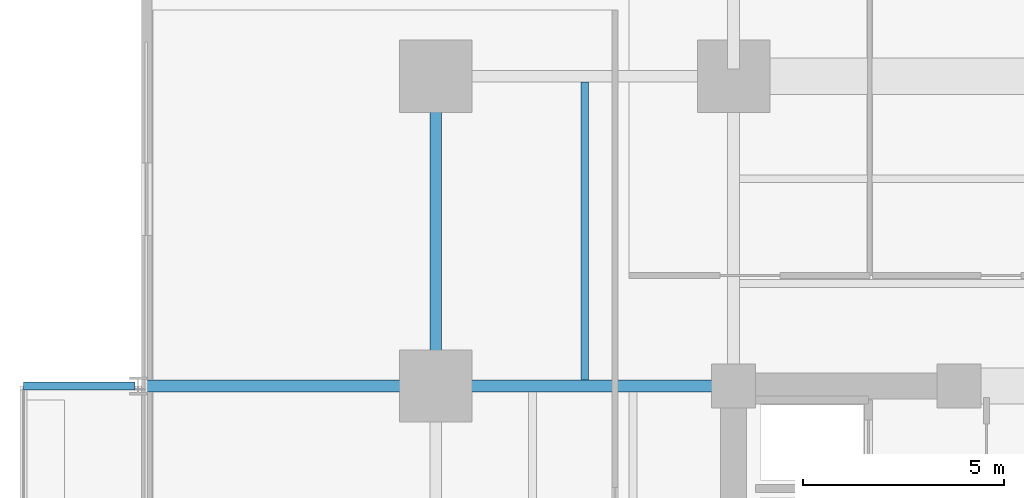
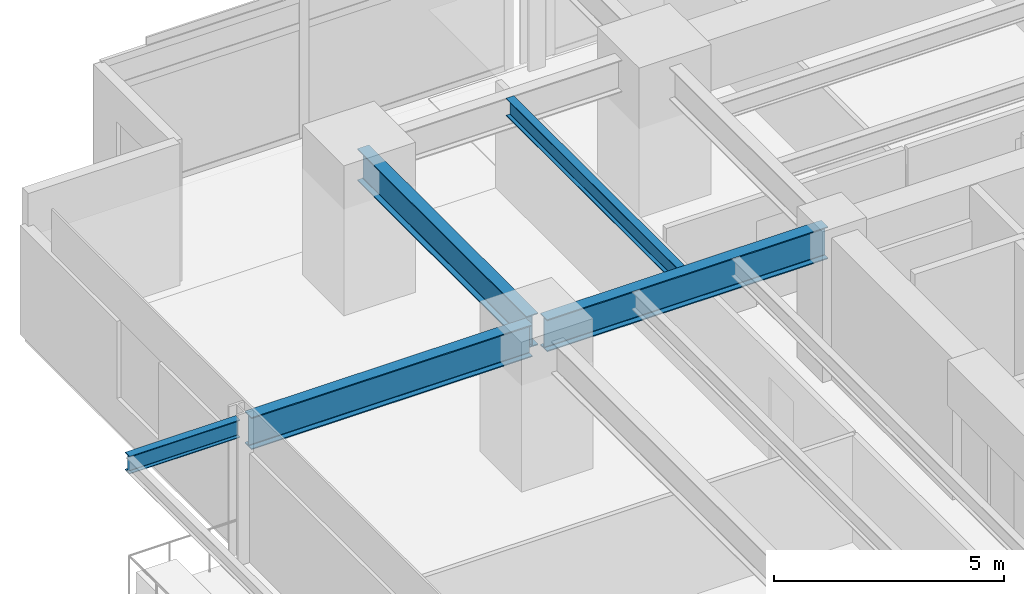
# One storey, part 5 of 22: 5 beams.
"""IFC4 building model written with IfcOpenShell, lengths in metres."""

from ifc_helpers import new_model, si_unit, direction, frame, origin, origin_2d, place, context, subcontext, project, spatial, i_section, extrude, material, material_profile, profile_set, type_object, element, save


model = new_model("IFC4")

# Units and contexts
model_context = context("Model", 3, precision=1e-05, world=origin(), true_north=direction((0.0, 1.0)))
body_context = subcontext(model_context, "Body", "Model", "MODEL_VIEW")
ifc_project = project(units=[si_unit("LENGTHUNIT", "METRE"), si_unit("AREAUNIT", "SQUARE_METRE"), si_unit("VOLUMEUNIT", "CUBIC_METRE"), si_unit("PLANEANGLEUNIT", "RADIAN"), si_unit("MASSUNIT", "GRAM", prefix="KILO")], contexts=[model_context])

# Site, building, storey
site_placement = place(None, origin())
site = spatial("IfcSite", under=ifc_project, at=site_placement, CompositionType="ELEMENT")
building_placement = place(site_placement, origin())
building = spatial("IfcBuilding", under=site, at=building_placement, Name="Kovane Verandah Tower", CompositionType="ELEMENT")
storey_placement = place(building_placement, frame((0.0, 0.0, 51.60009765625)))
storey = spatial("IfcBuildingStorey", under=building, at=storey_placement, Name="L11", CompositionType="ELEMENT", Elevation=51.60009765625)

# Beams
ifc_material = material(Name="Steel S355", Category="steel")
ifc_material_profile_1 = material_profile(ifc_material, i_section(OverallWidth=0.293701171875, OverallDepth=0.850830078125, WebThickness=0.01611328125, FlangeThickness=0.02685546875, FilletRadius=0.017822265625, at=origin_2d()), Name="UB838x292x226")
ifc_profile_set_1 = profile_set([ifc_material_profile_1], Name="Steel S355")
beam_type_1 = type_object("IfcBeamType", Name="BM-UB838x226", PredefinedType="BEAM", material=ifc_profile_set_1)
beam_1_placement = place(storey_placement, frame((21.60009765625, 36.679931640625, 3.33447265625), z_axis=(0.0, 1.0, 0.0), x_axis=(-1.0, 0.0, 0.0)))
element("IfcBeam", 1, at=beam_1_placement, inside=storey, type_object=beam_type_1, Name="L11 Primary Tower Girder G-RW3", PredefinedType="BEAM", context=body_context, shape_type="SweptSolid", body=[
    extrude(i_section(OverallWidth=0.293701171875, OverallDepth=0.850830078125, WebThickness=0.01611328125, FlangeThickness=0.02685546875, FilletRadius=0.017822265625, at=origin_2d()), origin(), (0.0, 0.0, 1.0), 7.340087890625),
])
for number, where, z_axis, x_axis, name in (
    (2, (28.820068359375, 36.5, 3.33447265625), (-1.0, 0.0, 0.0), (0.0, -1.0, 0.0), "L11 Primary Tower Girder G-W2"),
    (3, (21.419921875, 36.5, 3.33447265625), (-1.0, 0.0, 0.0), (0.0, -1.0, 0.0), "L11 Primary Tower Girder G-VW2"),
):
    element("IfcBeam", number, at=place(storey_placement, frame(where, z_axis=z_axis, x_axis=x_axis)), inside=storey, type_object=beam_type_1, Name=name, PredefinedType="BEAM", context=body_context, shape_type="SweptSolid", body=[
        extrude(i_section(OverallWidth=0.293701171875, OverallDepth=0.850830078125, WebThickness=0.01611328125, FlangeThickness=0.02685546875, FilletRadius=0.017822265625, at=origin_2d()), origin(), (0.0, 0.0, 1.0), 7.0400390625),
    ])
ifc_material_profile_2 = material_profile(ifc_material, i_section(OverallWidth=0.19287109375, OverallDepth=0.46728515625, WebThickness=0.011474609375, FlangeThickness=0.01953125, FilletRadius=0.01025390625, at=origin_2d()), Name="UB457x191x98")
ifc_profile_set_2 = profile_set([ifc_material_profile_2], Name="Steel S355")
beam_type_2 = type_object("IfcBeamType", Name="JST-UB457x98", PredefinedType="JOIST", material=ifc_profile_set_2)
beam_2_placement = place(storey_placement, frame((25.300048828125, 36.64501953125, 3.5263671875), z_axis=(0.0, 1.0, 0.0), x_axis=(-1.0, 0.0, 0.0)))
element("IfcBeam", 4, at=beam_2_placement, inside=storey, type_object=beam_type_2, Name="L11 Secondary Composite Joist J-NW1", PredefinedType="JOIST", context=body_context, shape_type="SweptSolid", body=[
    extrude(i_section(OverallWidth=0.19287109375, OverallDepth=0.46728515625, WebThickness=0.011474609375, FlangeThickness=0.01953125, FilletRadius=0.01025390625, at=origin_2d()), origin(), (0.0, 0.0, 1.0), 7.41015625),
])
beam_3_placement = place(storey_placement, frame((14.1201171875, 36.5, 3.5263671875), z_axis=(-1.0, 0.0, 0.0), x_axis=(0.0, -1.0, 0.0)))
element("IfcBeam", 5, at=beam_3_placement, inside=storey, type_object=beam_type_2, Name="L11 West Planter Girder 2", PredefinedType="JOIST", context=body_context, shape_type="SweptSolid", body=[
    extrude(i_section(OverallWidth=0.19287109375, OverallDepth=0.46728515625, WebThickness=0.011474609375, FlangeThickness=0.01953125, FilletRadius=0.01025390625, at=origin_2d()), origin(), (0.0, 0.0, 1.0), 2.76611328125),
])

save(model, "model.ifc")
